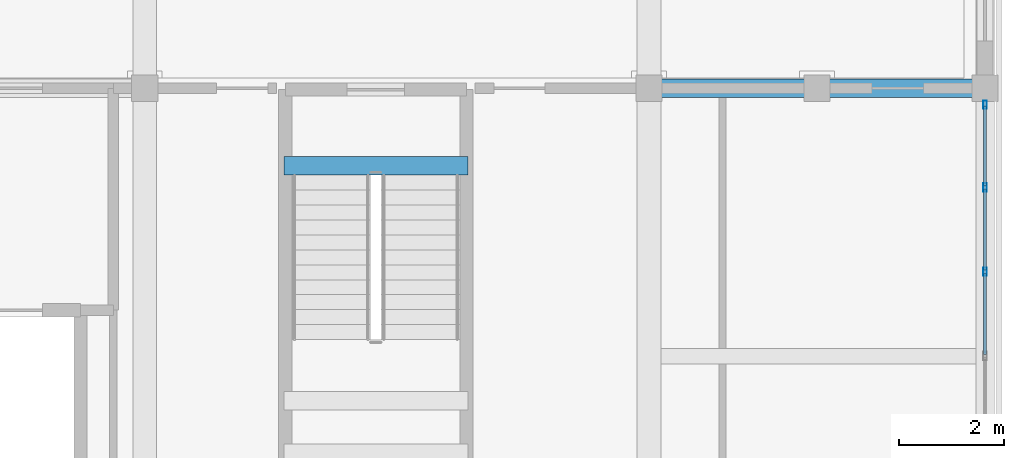
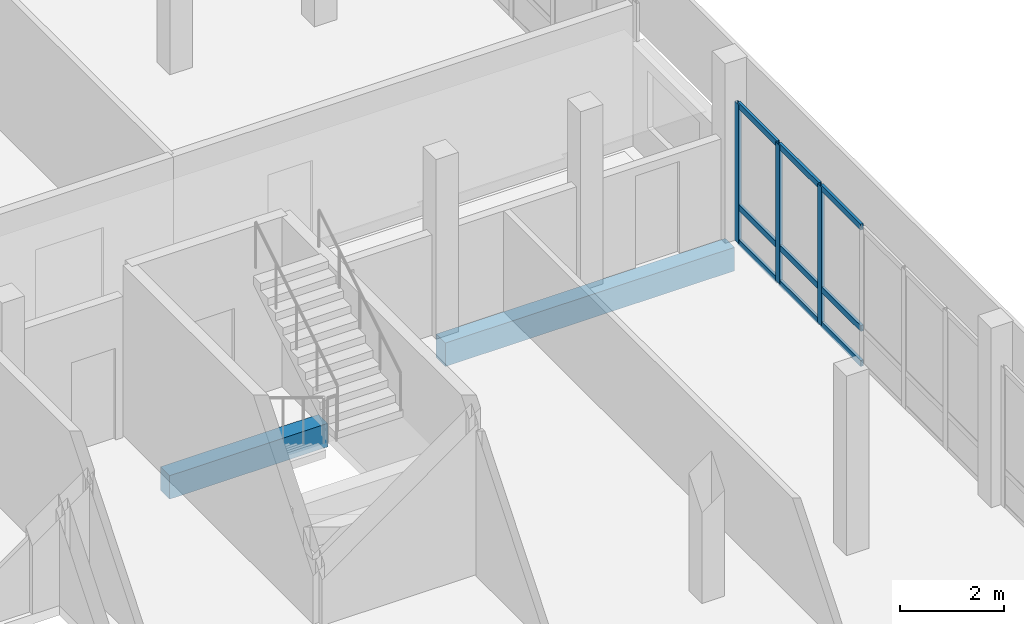
# One storey, part 11 of 29: 12 members, 2 beams, 1 element without a shape of its own.
"""IFC4 building model written with IfcOpenShell, lengths in metres."""

from ifc_helpers import new_model, si_unit, direction, frame, origin, origin_2d, place, context, subcontext, project, spatial, rectangle, hollow_rectangle, extrude, material, material_profile, profile_set, type_object, element, aggregate, save


model = new_model("IFC4")

# Units and contexts
model_context = context("Model", 3, precision=1e-05, world=origin(), true_north=direction((0.0, 1.0)))
body_context = subcontext(model_context, "Body", "Model", "MODEL_VIEW")
ifc_project = project(units=[si_unit("LENGTHUNIT", "METRE"), si_unit("AREAUNIT", "SQUARE_METRE"), si_unit("VOLUMEUNIT", "CUBIC_METRE"), si_unit("PLANEANGLEUNIT", "RADIAN"), si_unit("MASSUNIT", "GRAM", prefix="KILO")], contexts=[model_context])

# Site, building, storey
site_placement = place(None, origin())
site = spatial("IfcSite", under=ifc_project, at=site_placement, CompositionType="ELEMENT")
building_placement = place(site_placement, origin())
building = spatial("IfcBuilding", under=site, at=building_placement, Name="Vondelvale Polytechnic", CompositionType="ELEMENT")
storey_placement = place(building_placement, frame((0.0, 0.0, 26.39990234375)))
storey = spatial("IfcBuildingStorey", under=building, at=storey_placement, Name="L06", CompositionType="ELEMENT", Elevation=26.39990234375)

# Beams
ifc_material_1 = material(Name="Concrete N40 (f'c = 40 MPa)", Category="concrete")
ifc_material_profile_1 = material_profile(ifc_material_1, rectangle(XDim=0.35009765625, YDim=0.550048828125, at=origin_2d()), Name="RC-BM-350x550")
ifc_profile_set_1 = profile_set([ifc_material_profile_1], Name="Concrete N40 (f'c = 40 MPa)")
beam_type = type_object("IfcBeamType", Name="BM-RC350x550", PredefinedType="BEAM", material=ifc_profile_set_1)
beam_1_placement = place(storey_placement, frame((31.449951171875, 18.925048828125, -0.27490234375), z_axis=(1.0, 0.0, 0.0), x_axis=(0.0, 1.0, 0.0)))
element("IfcBeam", 1, at=beam_1_placement, inside=storey, type_object=beam_type, Name="L06 STHD B-06", PredefinedType="BEAM", context=body_context, shape_type="SweptSolid", body=[
    extrude(rectangle(XDim=0.35009765625, YDim=0.550048828125, at=origin_2d()), origin(), (0.0, 0.0, 1.0), 3.5),
])
beam_2_placement = place(storey_placement, frame((38.39990234375, 20.39990234375, -0.5), z_axis=(1.0, 0.0, 0.0), x_axis=(0.0, 1.0, 0.0)))
element("IfcBeam", 2, at=beam_2_placement, inside=storey, type_object=beam_type, Name="L06 B B-06", PredefinedType="BEAM", context=body_context, shape_type="SweptSolid", body=[
    extrude(rectangle(XDim=0.35009765625, YDim=0.550048828125, at=origin_2d()), origin(), (0.0, 0.0, 1.0), 6.400146484375),
])

# Curtain wall, members
ifc_material_2 = material(Name="Anodised extruded aluminium 6063-T6", Category="aluminium")
curtain_wall_type = type_object("IfcCurtainWallType", Name="CW-STUDIO-NORTH", PredefinedType="NOTDEFINED", material=ifc_material_2)
curtain_wall_placement = place(storey_placement, origin())
curtain_wall = element("IfcCurtainWall", 3, at=curtain_wall_placement, inside=storey, type_object=curtain_wall_type, Name="L06 architectural curtain wall CW-01-049", PredefinedType="NOTDEFINED")
ifc_material_profile_2 = material_profile(ifc_material_2, hollow_rectangle(XDim=0.06494140625, YDim=0.159912109375, WallThickness=0.0048828125, at=origin_2d()), Name="CW-MUL-160x65")
ifc_profile_set_2 = profile_set([ifc_material_profile_2], Name="Anodised extruded aluminium 6063-T6")
member_type_1 = type_object("IfcMemberType", Name="CW-MUL-65x160", PredefinedType="MULLION", material=ifc_profile_set_2)
member_1_placement = place(storey_placement, frame((44.800048828125, 16.90673828125, 0.0), z_axis=(0.0, 0.0, 1.0), x_axis=(-1.0, 0.0, 0.0)))
member_1 = element("IfcMember", 4, at=member_1_placement, type_object=member_type_1, Name="CW-01-049 mullion 5", PredefinedType="MULLION", context=body_context, shape_type="SweptSolid", body=[
    extrude(hollow_rectangle(XDim=0.06494140625, YDim=0.159912109375, WallThickness=0.0048828125, at=origin_2d()), origin(), (0.0, 0.0, 1.0), 3.25),
])
member_2_placement = place(storey_placement, frame((44.800048828125, 18.513427734375, 0.0), z_axis=(0.0, 0.0, 1.0), x_axis=(-1.0, 0.0, 0.0)))
member_2 = element("IfcMember", 5, at=member_2_placement, type_object=member_type_1, Name="CW-01-049 mullion 6", PredefinedType="MULLION", context=body_context, shape_type="SweptSolid", body=[
    extrude(hollow_rectangle(XDim=0.06494140625, YDim=0.159912109375, WallThickness=0.0048828125, at=origin_2d()), origin(), (0.0, 0.0, 1.0), 3.25),
])
member_3_placement = place(storey_placement, frame((44.800048828125, 20.08740234375, 0.0), z_axis=(0.0, 0.0, 1.0), x_axis=(-1.0, 0.0, 0.0)))
member_3 = element("IfcMember", 6, at=member_3_placement, type_object=member_type_1, Name="CW-01-049 mullion 7", PredefinedType="MULLION", context=body_context, shape_type="SweptSolid", body=[
    extrude(hollow_rectangle(XDim=0.06494140625, YDim=0.159912109375, WallThickness=0.0048828125, at=origin_2d()), origin(), (0.0, 0.0, 1.0), 3.25),
])
ifc_material_profile_3 = material_profile(ifc_material_2, hollow_rectangle(XDim=0.06005859375, YDim=0.139892578125, WallThickness=0.00341796875, at=origin_2d()), Name="CW-TRN-140x60")
ifc_profile_set_3 = profile_set([ifc_material_profile_3], Name="Anodised extruded aluminium 6063-T6")
member_type_2 = type_object("IfcMemberType", Name="CW-TRN-60x140", PredefinedType="USERDEFINED", material=ifc_profile_set_3)
member_4_placement = place(storey_placement, frame((44.800048828125, 15.33251953125, 0.030029296875), z_axis=(0.0, 1.0, 0.0), x_axis=(-1.0, 0.0, 0.0)))
member_4 = element("IfcMember", 7, at=member_4_placement, type_object=member_type_2, Name="CW-01-049 transom 4.1", ObjectType="TRANSOM", PredefinedType="USERDEFINED", context=body_context, shape_type="SweptSolid", body=[
    extrude(hollow_rectangle(XDim=0.06005859375, YDim=0.139892578125, WallThickness=0.00341796875, at=origin_2d()), origin(), (0.0, 0.0, 1.0), 1.541748046875),
])
member_5_placement = place(storey_placement, frame((44.800048828125, 15.33251953125, 0.85009765625), z_axis=(0.0, 1.0, 0.0), x_axis=(-1.0, 0.0, 0.0)))
member_5 = element("IfcMember", 8, at=member_5_placement, type_object=member_type_2, Name="CW-01-049 transom 4.2", ObjectType="TRANSOM", PredefinedType="USERDEFINED", context=body_context, shape_type="SweptSolid", body=[
    extrude(hollow_rectangle(XDim=0.06005859375, YDim=0.139892578125, WallThickness=0.00341796875, at=origin_2d()), origin(), (0.0, 0.0, 1.0), 1.541748046875),
])
member_6_placement = place(storey_placement, frame((44.800048828125, 15.33251953125, 3.22021484375), z_axis=(0.0, 1.0, 0.0), x_axis=(-1.0, 0.0, 0.0)))
member_6 = element("IfcMember", 9, at=member_6_placement, type_object=member_type_2, Name="CW-01-049 transom 4.3", ObjectType="TRANSOM", PredefinedType="USERDEFINED", context=body_context, shape_type="SweptSolid", body=[
    extrude(hollow_rectangle(XDim=0.06005859375, YDim=0.139892578125, WallThickness=0.00341796875, at=origin_2d()), origin(), (0.0, 0.0, 1.0), 1.541748046875),
])
member_7_placement = place(storey_placement, frame((44.800048828125, 16.939208984375, 0.030029296875), z_axis=(0.0, 1.0, 0.0), x_axis=(-1.0, 0.0, 0.0)))
member_7 = element("IfcMember", 10, at=member_7_placement, type_object=member_type_2, Name="CW-01-049 transom 5.1", ObjectType="TRANSOM", PredefinedType="USERDEFINED", context=body_context, shape_type="SweptSolid", body=[
    extrude(hollow_rectangle(XDim=0.06005859375, YDim=0.139892578125, WallThickness=0.00341796875, at=origin_2d()), origin(), (0.0, 0.0, 1.0), 1.54150390625),
])
member_8_placement = place(storey_placement, frame((44.800048828125, 16.939208984375, 0.85009765625), z_axis=(0.0, 1.0, 0.0), x_axis=(-1.0, 0.0, 0.0)))
member_8 = element("IfcMember", 11, at=member_8_placement, type_object=member_type_2, Name="CW-01-049 transom 5.2", ObjectType="TRANSOM", PredefinedType="USERDEFINED", context=body_context, shape_type="SweptSolid", body=[
    extrude(hollow_rectangle(XDim=0.06005859375, YDim=0.139892578125, WallThickness=0.00341796875, at=origin_2d()), origin(), (0.0, 0.0, 1.0), 1.54150390625),
])
member_9_placement = place(storey_placement, frame((44.800048828125, 16.939208984375, 3.22021484375), z_axis=(0.0, 1.0, 0.0), x_axis=(-1.0, 0.0, 0.0)))
member_9 = element("IfcMember", 12, at=member_9_placement, type_object=member_type_2, Name="CW-01-049 transom 5.3", ObjectType="TRANSOM", PredefinedType="USERDEFINED", context=body_context, shape_type="SweptSolid", body=[
    extrude(hollow_rectangle(XDim=0.06005859375, YDim=0.139892578125, WallThickness=0.00341796875, at=origin_2d()), origin(), (0.0, 0.0, 1.0), 1.54150390625),
])
member_10_placement = place(storey_placement, frame((44.800048828125, 18.5458984375, 0.030029296875), z_axis=(0.0, 1.0, 0.0), x_axis=(-1.0, 0.0, 0.0)))
member_10 = element("IfcMember", 13, at=member_10_placement, type_object=member_type_2, Name="CW-01-049 transom 6.1", ObjectType="TRANSOM", PredefinedType="USERDEFINED", context=body_context, shape_type="SweptSolid", body=[
    extrude(hollow_rectangle(XDim=0.06005859375, YDim=0.139892578125, WallThickness=0.00341796875, at=origin_2d()), origin(), (0.0, 0.0, 1.0), 1.509033203125),
])
member_11_placement = place(storey_placement, frame((44.800048828125, 18.5458984375, 0.85009765625), z_axis=(0.0, 1.0, 0.0), x_axis=(-1.0, 0.0, 0.0)))
member_11 = element("IfcMember", 14, at=member_11_placement, type_object=member_type_2, Name="CW-01-049 transom 6.2", ObjectType="TRANSOM", PredefinedType="USERDEFINED", context=body_context, shape_type="SweptSolid", body=[
    extrude(hollow_rectangle(XDim=0.06005859375, YDim=0.139892578125, WallThickness=0.00341796875, at=origin_2d()), origin(), (0.0, 0.0, 1.0), 1.509033203125),
])
member_12_placement = place(storey_placement, frame((44.800048828125, 18.5458984375, 3.22021484375), z_axis=(0.0, 1.0, 0.0), x_axis=(-1.0, 0.0, 0.0)))
member_12 = element("IfcMember", 15, at=member_12_placement, type_object=member_type_2, Name="CW-01-049 transom 6.3", ObjectType="TRANSOM", PredefinedType="USERDEFINED", context=body_context, shape_type="SweptSolid", body=[
    extrude(hollow_rectangle(XDim=0.06005859375, YDim=0.139892578125, WallThickness=0.00341796875, at=origin_2d()), origin(), (0.0, 0.0, 1.0), 1.509033203125),
])
aggregate(curtain_wall, [member_1, member_2, member_3, member_4, member_5, member_6, member_7, member_8, member_9, member_10, member_11, member_12])

save(model, "model.ifc")
